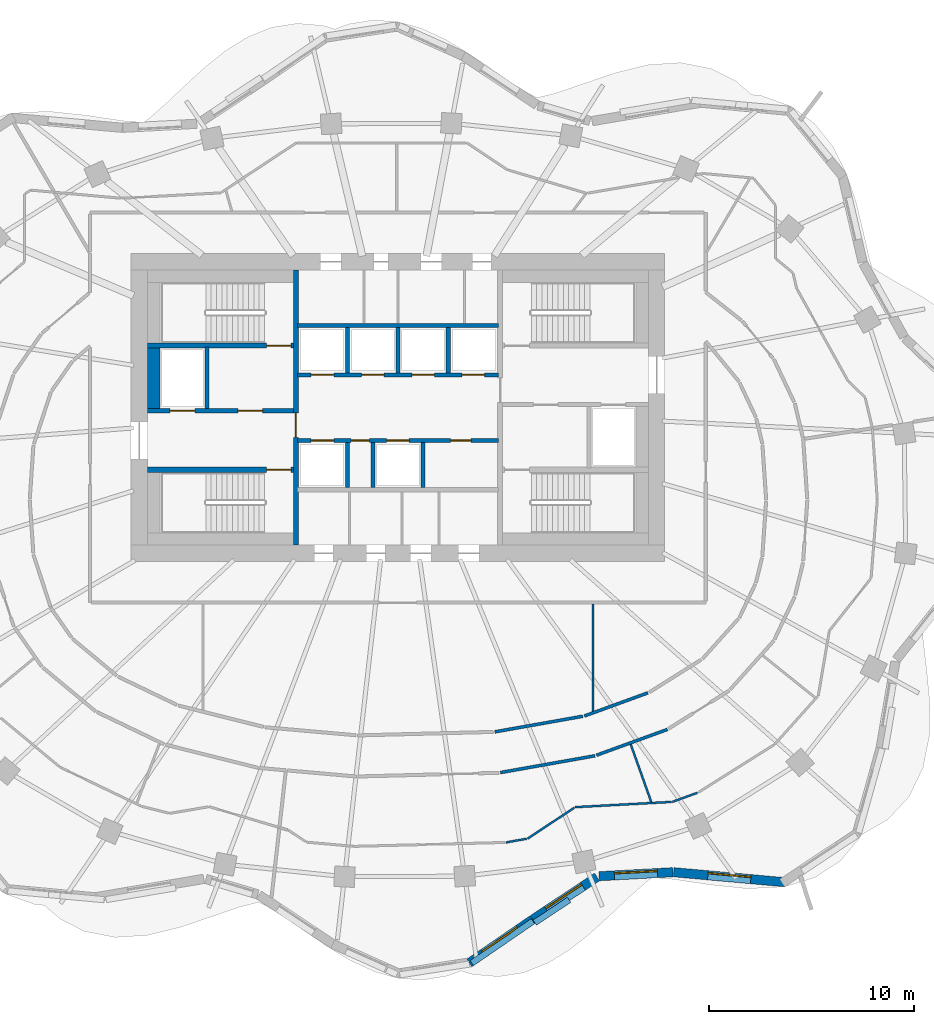
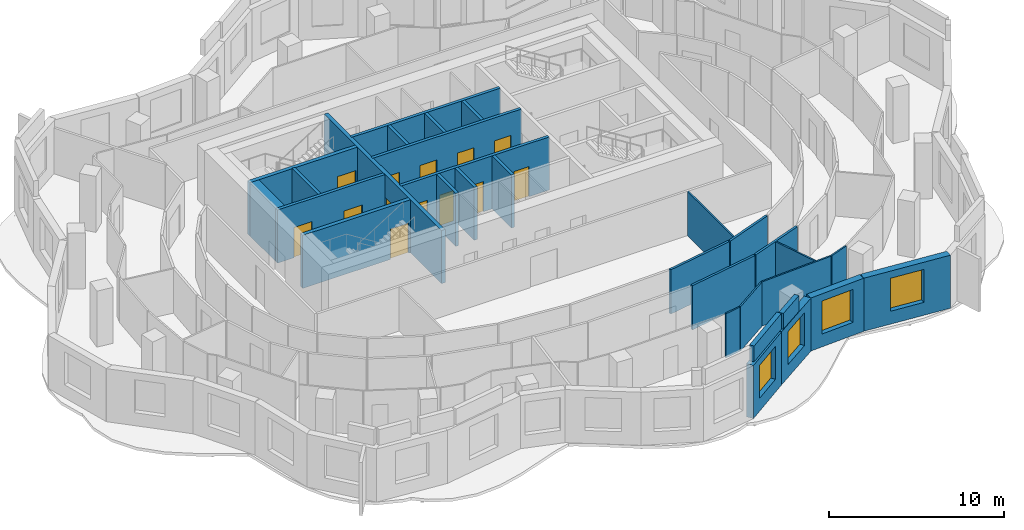
# One storey, part 5 of 10: 31 walls, 13 doors, 4 windows, 17 openings.
"""IFC4 building model written with IfcOpenShell, lengths in metres."""

from ifc_helpers import new_model, si_unit, direction, frame, frame_2d, origin, place, context, subcontext, project, spatial, rectangle, extrude, material, layer, layer_set, type_object, element, fill, save


model = new_model("IFC4")

# Units and contexts
model_context = context("Model", 3, precision=1e-05, world=origin(), true_north=direction((0.0, 1.0)))
body_context = subcontext(model_context, "Body", "Model", "MODEL_VIEW")
ifc_project = project(units=[si_unit("LENGTHUNIT", "METRE"), si_unit("AREAUNIT", "SQUARE_METRE"), si_unit("VOLUMEUNIT", "CUBIC_METRE"), si_unit("PLANEANGLEUNIT", "RADIAN"), si_unit("MASSUNIT", "GRAM", prefix="KILO")], contexts=[model_context])

# Site, building, storey
site_placement = place(None, origin())
site = spatial("IfcSite", under=ifc_project, at=site_placement, CompositionType="ELEMENT")
building_placement = place(site_placement, origin())
building = spatial("IfcBuilding", under=site, at=building_placement, Name="Rubra Terraces Tower", CompositionType="ELEMENT")
storey_placement = place(building_placement, frame((0.0, 0.0, 205.199951171875)))
storey = spatial("IfcBuildingStorey", under=building, at=storey_placement, Name="L50", CompositionType="ELEMENT", Elevation=205.199951171875)

# Wall, opening, window
ifc_material_1 = material(Name="Brick masonry red-brown", Category="masonry")
ifc_layer_1 = layer(ifc_material_1, 0.449951171875)
ifc_layer_set_1 = layer_set([ifc_layer_1], Name="Brick masonry red-brown")
wall_type_1 = type_object("IfcWallType", Name="Brick facade wall 450", PredefinedType="SOLIDWALL", material=ifc_layer_set_1)
wall_1_placement = place(storey_placement, frame((3.478515625, -22.559814453125, 0.0), z_axis=(0.0, 0.0, 1.0), x_axis=(0.824722766417, 0.565537230033, 0.0)))
wall_1 = element("IfcWall", 1, at=wall_1_placement, inside=storey, type_object=wall_type_1, Name="Facade wall L50 bay 32", PredefinedType="SOLIDWALL", context=body_context, shape_type="SweptSolid", body=[
    extrude(rectangle(XDim=3.742431640625, YDim=0.449951171875, at=frame_2d((1.87109375, 0.0))), origin(), (0.0, 0.0, 1.0), 3.699951171875),
])
opening_1_placement = place(wall_1_placement, frame((0.8212890625, 0.0, 0.89990234375)))
opening_1 = element("IfcOpeningElement", 2, at=opening_1_placement, cuts=wall_1, Name="Opening W1B", PredefinedType="OPENING", context=body_context, shape_type="SweptSolid", body=[
    extrude(rectangle(XDim=2.10009765625, YDim=2.300048828125, at=frame_2d((1.050048828125, 1.14990234375))), frame((0.0, 0.23486328125, 0.0), z_axis=(0.0, -1.0, 0.0), x_axis=(1.0, 0.0, 0.0)), (0.0, 0.0, 1.0), 0.469970703125),
])
ifc_material_2 = material(Name="Clear glass in aluminium frame", Category="aluminium")
window_type = type_object("IfcWindowType", Name="Fixed deep-set window tall storey 2100 x 2300", PartitioningType="SINGLE_PANEL", PredefinedType="WINDOW", material=ifc_material_2)
window_1_placement = place(opening_1_placement, origin())
window_1 = element("IfcWindow", 3, at=window_1_placement, inside=storey, type_object=window_type, Name="Window L50 bay 32", OverallHeight=2.300048828125, OverallWidth=2.10009765625, PartitioningType="SINGLE_PANEL", PredefinedType="WINDOW", context=body_context, shape_type="SweptSolid", body=[
    extrude(rectangle(XDim=2.10009765625, YDim=2.300048828125, at=frame_2d((1.050048828125, 1.14990234375))), frame((0.0, 0.135009765625, 0.0), z_axis=(0.0, -1.0, 0.0), x_axis=(1.0, 0.0, 0.0)), (0.0, 0.0, 1.0), 0.06005859375),
])
fill(opening_1, window_1)

wall_2_placement = place(storey_placement, frame((6.568115234375, -20.44140625, 0.0), z_axis=(0.0, 0.0, 1.0), x_axis=(0.834034214531, 0.551712723246, 0.0)))
wall_2 = element("IfcWall", 4, at=wall_2_placement, inside=storey, type_object=wall_type_1, Name="Facade wall L50 bay 33", PredefinedType="SOLIDWALL", context=body_context, shape_type="SweptSolid", body=[
    extrude(rectangle(XDim=3.75732421875, YDim=0.449951171875, at=frame_2d((1.878662109375, 0.0))), origin(), (0.0, 0.0, 1.0), 3.699951171875),
])
opening_2_placement = place(wall_2_placement, frame((0.82861328125, 0.0, 0.89990234375)))
opening_2 = element("IfcOpeningElement", 5, at=opening_2_placement, cuts=wall_2, Name="Opening W1B", PredefinedType="OPENING", context=body_context, shape_type="SweptSolid", body=[
    extrude(rectangle(XDim=2.10009765625, YDim=2.300048828125, at=frame_2d((1.050048828125, 1.14990234375))), frame((0.0, 0.23486328125, 0.0), z_axis=(0.0, -1.0, 0.0), x_axis=(1.0, 0.0, 0.0)), (0.0, 0.0, 1.0), 0.469970703125),
])
window_2_placement = place(opening_2_placement, origin())
window_2 = element("IfcWindow", 6, at=window_2_placement, inside=storey, type_object=window_type, Name="Window L50 bay 33", OverallHeight=2.300048828125, OverallWidth=2.10009765625, PartitioningType="SINGLE_PANEL", PredefinedType="WINDOW", context=body_context, shape_type="SweptSolid", body=[
    extrude(rectangle(XDim=2.10009765625, YDim=2.300048828125, at=frame_2d((1.050048828125, 1.14990234375))), frame((0.0, 0.135009765625, 0.0), z_axis=(0.0, -1.0, 0.0), x_axis=(1.0, 0.0, 0.0)), (0.0, 0.0, 1.0), 0.06005859375),
])
fill(opening_2, window_2)

wall_3_placement = place(storey_placement, frame((9.80322265625, -18.333740234375, 0.0), z_axis=(0.0, 0.0, 1.0), x_axis=(0.998525941495, 0.054276552602, 0.0)))
wall_3 = element("IfcWall", 7, at=wall_3_placement, inside=storey, type_object=wall_type_1, Name="Facade wall L50 bay 34", PredefinedType="SOLIDWALL", context=body_context, shape_type="SweptSolid", body=[
    extrude(rectangle(XDim=3.60302734375, YDim=0.449951171875, at=frame_2d((1.801513671875, 0.0))), origin(), (0.0, 0.0, 1.0), 3.699951171875),
])
opening_3_placement = place(wall_3_placement, frame((0.75146484375, 0.0, 0.89990234375)))
opening_3 = element("IfcOpeningElement", 8, at=opening_3_placement, cuts=wall_3, Name="Opening W1B", PredefinedType="OPENING", context=body_context, shape_type="SweptSolid", body=[
    extrude(rectangle(XDim=2.10009765625, YDim=2.300048828125, at=frame_2d((1.050048828125, 1.14990234375))), frame((0.0, 0.23486328125, 0.0), z_axis=(0.0, -1.0, 0.0), x_axis=(1.0, 0.0, 0.0)), (0.0, 0.0, 1.0), 0.469970703125),
])
window_3_placement = place(opening_3_placement, origin())
window_3 = element("IfcWindow", 9, at=window_3_placement, inside=storey, type_object=window_type, Name="Window L50 bay 34", OverallHeight=2.300048828125, OverallWidth=2.10009765625, PartitioningType="SINGLE_PANEL", PredefinedType="WINDOW", context=body_context, shape_type="SweptSolid", body=[
    extrude(rectangle(XDim=2.10009765625, YDim=2.300048828125, at=frame_2d((1.050048828125, 1.14990234375))), frame((0.0, 0.135009765625, 0.0), z_axis=(0.0, -1.0, 0.0), x_axis=(1.0, 0.0, 0.0)), (0.0, 0.0, 1.0), 0.06005859375),
])
fill(opening_3, window_3)

wall_4_placement = place(storey_placement, frame((13.435791015625, -18.1376953125, 0.0), z_axis=(0.0, 0.0, 1.0), x_axis=(0.99598810213, -0.089485755376, 0.0)))
wall_4 = element("IfcWall", 10, at=wall_4_placement, inside=storey, type_object=wall_type_1, Name="Facade wall L50 bay 35", PredefinedType="SOLIDWALL", context=body_context, shape_type="SweptSolid", body=[
    extrude(rectangle(XDim=5.451171875, YDim=0.449951171875, at=frame_2d((2.7255859375, 0.0))), origin(), (0.0, 0.0, 1.0), 3.699951171875),
])
opening_4_placement = place(wall_4_placement, frame((1.675537109375, 0.0, 0.89990234375)))
opening_4 = element("IfcOpeningElement", 11, at=opening_4_placement, cuts=wall_4, Name="Opening W1B", PredefinedType="OPENING", context=body_context, shape_type="SweptSolid", body=[
    extrude(rectangle(XDim=2.10009765625, YDim=2.300048828125, at=frame_2d((1.050048828125, 1.14990234375))), frame((0.0, 0.23486328125, 0.0), z_axis=(0.0, -1.0, 0.0), x_axis=(1.0, 0.0, 0.0)), (0.0, 0.0, 1.0), 0.469970703125),
])
window_4_placement = place(opening_4_placement, origin())
window_4 = element("IfcWindow", 12, at=window_4_placement, inside=storey, type_object=window_type, Name="Window L50 bay 35", OverallHeight=2.300048828125, OverallWidth=2.10009765625, PartitioningType="SINGLE_PANEL", PredefinedType="WINDOW", context=body_context, shape_type="SweptSolid", body=[
    extrude(rectangle(XDim=2.10009765625, YDim=2.300048828125, at=frame_2d((1.050048828125, 1.14990234375))), frame((0.0, 0.135009765625, 0.0), z_axis=(0.0, -1.0, 0.0), x_axis=(1.0, 0.0, 0.0)), (0.0, 0.0, 1.0), 0.06005859375),
])
fill(opening_4, window_4)

# Walls
ifc_layer_2 = layer(ifc_material_1, 0.300048828125)
ifc_layer_set_2 = layer_set([ifc_layer_2], Name="Brick masonry red-brown")
wall_type_2 = type_object("IfcWallType", Name="Brick parapet 300", PredefinedType="PARAPET", material=ifc_layer_set_2)
wall_5_placement = place(storey_placement, frame((3.59912109375, -22.56787109375, 3.900146484375), z_axis=(0.0, 0.0, 1.0), x_axis=(0.82476034254, 0.565482428881, 0.0)))
element("IfcWall", 13, at=wall_5_placement, inside=storey, type_object=wall_type_2, Name="Parapet L50 bay 32", PredefinedType="PARAPET", context=body_context, shape_type="SweptSolid", body=[
    extrude(rectangle(XDim=3.61572265625, YDim=0.300048828125, at=frame_2d((1.807861328125, 0.0))), origin(), (0.0, 0.0, 1.0), 1.099853515625),
])
wall_6_placement = place(storey_placement, frame((6.665283203125, -20.593017578125, 3.900146484375), z_axis=(0.0, 0.0, 1.0), x_axis=(0.834027642059, 0.551722658843, 0.0)))
element("IfcWall", 14, at=wall_6_placement, inside=storey, type_object=wall_type_2, Name="Parapet L50 bay 33", PredefinedType="PARAPET", context=body_context, shape_type="SweptSolid", body=[
    extrude(rectangle(XDim=2.008056640625, YDim=0.300048828125, at=frame_2d((1.00390625, 0.0))), origin(), (0.0, 0.0, 1.0), 1.099853515625),
])
ifc_material_3 = material(Name="Plasterboard on steel stud, mineral wool infill", Category="steel")
ifc_layer_3 = layer(ifc_material_3, 0.14990234375)
ifc_layer_set_3 = layer_set([ifc_layer_3], Name="Plasterboard on steel stud, mineral wool infill")
wall_type_3 = type_object("IfcWallType", Name="CORRIDOR PARTITION 150", PredefinedType="PARTITIONING", material=ifc_layer_set_3)
wall_7_placement = place(storey_placement, frame((4.994873046875, -13.28125, 0.0), z_axis=(0.0, 0.0, 1.0), x_axis=(0.98463411377, 0.174630071865, 0.0)))
element("IfcWall", 15, at=wall_7_placement, inside=storey, type_object=wall_type_3, Name="PARTITION", PredefinedType="PARTITIONING", context=body_context, shape_type="SweptSolid", body=[
    extrude(rectangle(XDim=4.68212890625, YDim=0.14990234375, at=frame_2d((2.341064453125, 0.0))), origin(), (0.0, 0.0, 1.0), 3.083984375),
])
wall_8_placement = place(storey_placement, frame((9.675537109375, -12.43798828125, 0.0), z_axis=(0.0, 0.0, 1.0), x_axis=(0.939640289748, 0.342163887461, 0.0)))
element("IfcWall", 16, at=wall_8_placement, inside=storey, type_object=wall_type_3, Name="PARTITION", PredefinedType="PARTITIONING", context=body_context, shape_type="SweptSolid", body=[
    extrude(rectangle(XDim=3.6796875, YDim=0.14990234375, at=frame_2d((1.83984375, 0.0))), origin(), (0.0, 0.0, 1.0), 3.083984375),
])
wall_9_placement = place(storey_placement, frame((12.177734375, -9.398193359375, 0.0), z_axis=(0.0, 0.0, 1.0), x_axis=(-0.939609240084, -0.342249143093, 0.0)))
element("IfcWall", 17, at=wall_9_placement, inside=storey, type_object=wall_type_3, Name="PARTITION", PredefinedType="PARTITIONING", context=body_context, shape_type="SweptSolid", body=[
    extrude(rectangle(XDim=3.2919921875, YDim=0.14990234375, at=frame_2d((1.64599609375, 0.0))), origin(), (0.0, 0.0, 1.0), 3.083984375),
])
wall_10_placement = place(storey_placement, frame((9.010498046875, -10.5380859375, 0.0), z_axis=(0.0, 0.0, 1.0), x_axis=(-0.984645638575, -0.174565077936, 0.0)))
element("IfcWall", 18, at=wall_10_placement, inside=storey, type_object=wall_type_3, Name="PARTITION", PredefinedType="PARTITIONING", context=body_context, shape_type="SweptSolid", body=[
    extrude(rectangle(XDim=4.35791015625, YDim=0.14990234375, at=frame_2d((2.178955078125, 0.0))), origin(), (0.0, 0.0, 1.0), 3.083984375),
])
ifc_material_4 = material(Name="Concrete C40", Category="concrete")
ifc_layer_4 = layer(ifc_material_4, 0.60009765625)
ifc_layer_set_4 = layer_set([ifc_layer_4], Name="Concrete C40")
wall_type_4 = type_object("IfcWallType", Name="Core lining wall 600 concrete", PredefinedType="SOLIDWALL", material=ifc_layer_set_4)
wall_11_placement = place(storey_placement, frame((-11.89990234375, 4.449951171875, 0.0), z_axis=(0.0, 0.0, 1.0), x_axis=(0.0, 1.0, 0.0)))
element("IfcWall", 19, at=wall_11_placement, inside=storey, type_object=wall_type_4, Name="CORE LINING WALL L50", PredefinedType="SOLIDWALL", context=body_context, shape_type="SweptSolid", body=[
    extrude(rectangle(XDim=3.0, YDim=0.60009765625, at=frame_2d((1.5, 0.0))), origin(), (0.0, 0.0, 1.0), 3.699951171875),
])

# Wall, openings, doors
ifc_material_5 = material(Name="Concrete C30", Category="concrete")
ifc_layer_5 = layer(ifc_material_5, 0.199951171875)
ifc_layer_set_5 = layer_set([ifc_layer_5], Name="Concrete C30")
wall_type_5 = type_object("IfcWallType", Name="Core wall 200 concrete", PredefinedType="SOLIDWALL", material=ifc_layer_set_5)
wall_12_placement = place(storey_placement, frame((-12.199951171875, 4.35009765625, 0.0), z_axis=(0.0, 0.0, 1.0), x_axis=(1.0, 0.0, 0.0)))
wall_12 = element("IfcWall", 20, at=wall_12_placement, inside=storey, type_object=wall_type_5, Name="STAIR WALL L50", PredefinedType="SOLIDWALL", context=body_context, shape_type="SweptSolid", body=[
    extrude(rectangle(XDim=7.099853515625, YDim=0.199951171875, at=frame_2d((3.5498046875, 0.0))), origin(), (0.0, 0.0, 1.0), 3.699951171875),
])
opening_5_placement = place(wall_12_placement, frame((4.39990234375, 0.0, 0.0)))
opening_5 = element("IfcOpeningElement", 21, at=opening_5_placement, cuts=wall_12, Name="Opening L50.C05", PredefinedType="OPENING", context=body_context, shape_type="SweptSolid", body=[
    extrude(rectangle(XDim=1.199951171875, YDim=2.10009765625, at=frame_2d((0.60009765625, 1.050048828125))), frame((0.0, 0.10986328125, 0.0), z_axis=(0.0, -1.0, 0.0), x_axis=(1.0, 0.0, 0.0)), (0.0, 0.0, 1.0), 0.219970703125),
])
opening_6_placement = place(wall_12_placement, frame((1.10009765625, 0.0, 0.0)))
opening_6 = element("IfcOpeningElement", 22, at=opening_6_placement, cuts=wall_12, Name="Opening L50.C11", PredefinedType="OPENING", context=body_context, shape_type="SweptSolid", body=[
    extrude(rectangle(XDim=1.199951171875, YDim=2.10009765625, at=frame_2d((0.60009765625, 1.050048828125))), frame((0.0, 0.10986328125, 0.0), z_axis=(0.0, -1.0, 0.0), x_axis=(1.0, 0.0, 0.0)), (0.0, 0.0, 1.0), 0.219970703125),
])
ifc_material_6 = material(Name="Painted steel", Category="steel")
door_type_1 = type_object("IfcDoorType", Name="Fire door 1200x2100 single", OperationType="NOTDEFINED", PredefinedType="DOOR", material=ifc_material_6)
door_1_placement = place(opening_5_placement, origin())
door_1 = element("IfcDoor", 23, at=door_1_placement, inside=storey, type_object=door_type_1, Name="Stair vestibule door S2", OperationType="SINGLE_SWING_LEFT", OverallHeight=2.10009765625, OverallWidth=1.199951171875, PredefinedType="DOOR", context=body_context, shape_type="SweptSolid", body=[
    extrude(rectangle(XDim=1.199951171875, YDim=2.10009765625, at=frame_2d((0.60009765625, 1.050048828125))), frame((0.0, 0.02490234375, 0.0), z_axis=(0.0, -1.0, 0.0), x_axis=(1.0, 0.0, 0.0)), (0.0, 0.0, 1.0), 0.050048828125),
])
fill(opening_5, door_1)
ifc_material_7 = material(Name="Stainless steel", Category="steel")
door_type_2 = type_object("IfcDoorType", Name="Lift landing door 1200x2100", OperationType="NOTDEFINED", PredefinedType="DOOR", material=ifc_material_7)
door_2_placement = place(opening_6_placement, origin())
door_2 = element("IfcDoor", 24, at=door_2_placement, inside=storey, type_object=door_type_2, Name="Landing door FF1", OperationType="SLIDING_TO_RIGHT", OverallHeight=2.10009765625, OverallWidth=1.199951171875, PredefinedType="DOOR", context=body_context, shape_type="SweptSolid", body=[
    extrude(rectangle(XDim=1.199951171875, YDim=2.10009765625, at=frame_2d((0.60009765625, 1.050048828125))), frame((0.0, 0.02490234375, 0.0), z_axis=(0.0, -1.0, 0.0), x_axis=(1.0, 0.0, 0.0)), (0.0, 0.0, 1.0), 0.050048828125),
])
fill(opening_6, door_2)

# Wall
wall_13_placement = place(storey_placement, frame((-9.300048828125, 4.449951171875, 0.0), z_axis=(0.0, 0.0, 1.0), x_axis=(0.0, 1.0, 0.0)))
element("IfcWall", 25, at=wall_13_placement, inside=storey, type_object=wall_type_5, Name="STAIR WALL L50", PredefinedType="SOLIDWALL", context=body_context, shape_type="SweptSolid", body=[
    extrude(rectangle(XDim=3.0, YDim=0.199951171875, at=frame_2d((1.5, 0.0))), origin(), (0.0, 0.0, 1.0), 3.699951171875),
])

# Wall, openings, doors
wall_14_placement = place(storey_placement, frame((-4.89990234375, 2.89990234375, 0.0), z_axis=(0.0, 0.0, 1.0), x_axis=(1.0, 0.0, 0.0)))
wall_14 = element("IfcWall", 26, at=wall_14_placement, inside=storey, type_object=wall_type_5, Name="LIFT SHAFT WALL L50", PredefinedType="SOLIDWALL", context=body_context, shape_type="SweptSolid", body=[
    extrude(rectangle(XDim=9.7998046875, YDim=0.199951171875, at=frame_2d((4.89990234375, 0.0))), origin(), (0.0, 0.0, 1.0), 3.699951171875),
])
opening_7_placement = place(wall_14_placement, frame((0.675048828125, 0.0, 0.0)))
opening_7 = element("IfcOpeningElement", 27, at=opening_7_placement, cuts=wall_14, Name="Opening L50.C13", PredefinedType="OPENING", context=body_context, shape_type="SweptSolid", body=[
    extrude(rectangle(XDim=1.10009765625, YDim=2.10009765625, at=frame_2d((0.550048828125, 1.050048828125))), frame((0.0, 0.10986328125, 0.0), z_axis=(0.0, -1.0, 0.0), x_axis=(1.0, 0.0, 0.0)), (0.0, 0.0, 1.0), 0.219970703125),
])
opening_8_placement = place(wall_14_placement, frame((2.613037109375, 0.0, 0.0)))
opening_8 = element("IfcOpeningElement", 28, at=opening_8_placement, cuts=wall_14, Name="Opening L50.C14", PredefinedType="OPENING", context=body_context, shape_type="SweptSolid", body=[
    extrude(rectangle(XDim=0.89990234375, YDim=2.10009765625, at=frame_2d((0.449951171875, 1.050048828125))), frame((0.0, 0.10986328125, 0.0), z_axis=(0.0, -1.0, 0.0), x_axis=(1.0, 0.0, 0.0)), (0.0, 0.0, 1.0), 0.219970703125),
])
opening_9_placement = place(wall_14_placement, frame((4.35009765625, 0.0, 0.0)))
opening_9 = element("IfcOpeningElement", 29, at=opening_9_placement, cuts=wall_14, Name="Opening L50.C15", PredefinedType="OPENING", context=body_context, shape_type="SweptSolid", body=[
    extrude(rectangle(XDim=1.10009765625, YDim=2.10009765625, at=frame_2d((0.550048828125, 1.050048828125))), frame((0.0, 0.10986328125, 0.0), z_axis=(0.0, -1.0, 0.0), x_axis=(1.0, 0.0, 0.0)), (0.0, 0.0, 1.0), 0.219970703125),
])
opening_10_placement = place(wall_14_placement, frame((7.462890625, 0.0, 0.0)))
opening_10 = element("IfcOpeningElement", 30, at=opening_10_placement, cuts=wall_14, Name="Opening L50.C16", PredefinedType="OPENING", context=body_context, shape_type="SweptSolid", body=[
    extrude(rectangle(XDim=1.0, YDim=2.10009765625, at=frame_2d((0.5, 1.050048828125))), frame((0.0, 0.10986328125, 0.0), z_axis=(0.0, -1.0, 0.0), x_axis=(1.0, 0.0, 0.0)), (0.0, 0.0, 1.0), 0.219970703125),
])
door_type_3 = type_object("IfcDoorType", Name="Fire door 1000x2100 single", OperationType="NOTDEFINED", PredefinedType="DOOR", material=ifc_material_6)
door_3_placement = place(opening_10_placement, origin())
door_3 = element("IfcDoor", 31, at=door_3_placement, inside=storey, type_object=door_type_3, Name="Security and building control room door", OperationType="SINGLE_SWING_RIGHT", OverallHeight=2.10009765625, OverallWidth=1.0, PredefinedType="DOOR", context=body_context, shape_type="SweptSolid", body=[
    extrude(rectangle(XDim=1.0, YDim=2.10009765625, at=frame_2d((0.5, 1.050048828125))), frame((0.0, 0.02490234375, 0.0), z_axis=(0.0, -1.0, 0.0), x_axis=(1.0, 0.0, 0.0)), (0.0, 0.0, 1.0), 0.050048828125),
])
fill(opening_10, door_3)
door_type_4 = type_object("IfcDoorType", Name="Fire door 900x2100 single", OperationType="NOTDEFINED", PredefinedType="DOOR", material=ifc_material_6)
door_4_placement = place(opening_8_placement, origin())
door_4 = element("IfcDoor", 32, at=door_4_placement, inside=storey, type_object=door_type_4, Name="Cleaner's store door", OperationType="SINGLE_SWING_RIGHT", OverallHeight=2.10009765625, OverallWidth=0.89990234375, PredefinedType="DOOR", context=body_context, shape_type="SweptSolid", body=[
    extrude(rectangle(XDim=0.89990234375, YDim=2.10009765625, at=frame_2d((0.449951171875, 1.050048828125))), frame((0.0, 0.02490234375, 0.0), z_axis=(0.0, -1.0, 0.0), x_axis=(1.0, 0.0, 0.0)), (0.0, 0.0, 1.0), 0.050048828125),
])
fill(opening_8, door_4)
door_type_5 = type_object("IfcDoorType", Name="Lift landing door 1100x2100", OperationType="NOTDEFINED", PredefinedType="DOOR", material=ifc_material_7)
door_5_placement = place(opening_7_placement, origin())
door_5 = element("IfcDoor", 33, at=door_5_placement, inside=storey, type_object=door_type_5, Name="Landing door HB1", OperationType="SLIDING_TO_RIGHT", OverallHeight=2.10009765625, OverallWidth=1.10009765625, PredefinedType="DOOR", context=body_context, shape_type="SweptSolid", body=[
    extrude(rectangle(XDim=1.10009765625, YDim=2.10009765625, at=frame_2d((0.550048828125, 1.050048828125))), frame((0.0, 0.02490234375, 0.0), z_axis=(0.0, -1.0, 0.0), x_axis=(1.0, 0.0, 0.0)), (0.0, 0.0, 1.0), 0.050048828125),
])
fill(opening_7, door_5)
door_6_placement = place(opening_9_placement, origin())
door_6 = element("IfcDoor", 34, at=door_6_placement, inside=storey, type_object=door_type_5, Name="Landing door HB2", OperationType="SLIDING_TO_LEFT", OverallHeight=2.10009765625, OverallWidth=1.10009765625, PredefinedType="DOOR", context=body_context, shape_type="SweptSolid", body=[
    extrude(rectangle(XDim=1.10009765625, YDim=2.10009765625, at=frame_2d((0.550048828125, 1.050048828125))), frame((0.0, 0.02490234375, 0.0), z_axis=(0.0, -1.0, 0.0), x_axis=(1.0, 0.0, 0.0)), (0.0, 0.0, 1.0), 0.050048828125),
])
fill(opening_9, door_6)

wall_15_placement = place(storey_placement, frame((-4.89990234375, 6.10009765625, 0.0), z_axis=(0.0, 0.0, 1.0), x_axis=(1.0, 0.0, 0.0)))
wall_15 = element("IfcWall", 35, at=wall_15_placement, inside=storey, type_object=wall_type_5, Name="LIFT SHAFT WALL L50", PredefinedType="SOLIDWALL", context=body_context, shape_type="SweptSolid", body=[
    extrude(rectangle(XDim=9.7998046875, YDim=0.199951171875, at=frame_2d((4.89990234375, 0.0))), origin(), (0.0, 0.0, 1.0), 3.699951171875),
])
opening_11_placement = place(wall_15_placement, frame((0.675048828125, 0.0, 0.0)))
opening_11 = element("IfcOpeningElement", 36, at=opening_11_placement, cuts=wall_15, Name="Opening L50.C17", PredefinedType="OPENING", context=body_context, shape_type="SweptSolid", body=[
    extrude(rectangle(XDim=1.10009765625, YDim=2.10009765625, at=frame_2d((0.550048828125, 1.050048828125))), frame((0.0, 0.10986328125, 0.0), z_axis=(0.0, -1.0, 0.0), x_axis=(1.0, 0.0, 0.0)), (0.0, 0.0, 1.0), 0.219970703125),
])
opening_12_placement = place(wall_15_placement, frame((3.125, 0.0, 0.0)))
opening_12 = element("IfcOpeningElement", 37, at=opening_12_placement, cuts=wall_15, Name="Opening L50.C18", PredefinedType="OPENING", context=body_context, shape_type="SweptSolid", body=[
    extrude(rectangle(XDim=1.10009765625, YDim=2.10009765625, at=frame_2d((0.550048828125, 1.050048828125))), frame((0.0, 0.10986328125, 0.0), z_axis=(0.0, -1.0, 0.0), x_axis=(1.0, 0.0, 0.0)), (0.0, 0.0, 1.0), 0.219970703125),
])
opening_13_placement = place(wall_15_placement, frame((5.574951171875, 0.0, 0.0)))
opening_13 = element("IfcOpeningElement", 38, at=opening_13_placement, cuts=wall_15, Name="Opening L50.C19", PredefinedType="OPENING", context=body_context, shape_type="SweptSolid", body=[
    extrude(rectangle(XDim=1.10009765625, YDim=2.10009765625, at=frame_2d((0.550048828125, 1.050048828125))), frame((0.0, 0.10986328125, 0.0), z_axis=(0.0, -1.0, 0.0), x_axis=(1.0, 0.0, 0.0)), (0.0, 0.0, 1.0), 0.219970703125),
])
opening_14_placement = place(wall_15_placement, frame((8.02490234375, 0.0, 0.0)))
opening_14 = element("IfcOpeningElement", 39, at=opening_14_placement, cuts=wall_15, Name="Opening L50.C20", PredefinedType="OPENING", context=body_context, shape_type="SweptSolid", body=[
    extrude(rectangle(XDim=1.10009765625, YDim=2.10009765625, at=frame_2d((0.550048828125, 1.050048828125))), frame((0.0, 0.10986328125, 0.0), z_axis=(0.0, -1.0, 0.0), x_axis=(1.0, 0.0, 0.0)), (0.0, 0.0, 1.0), 0.219970703125),
])
door_7_placement = place(opening_11_placement, origin())
door_7 = element("IfcDoor", 40, at=door_7_placement, inside=storey, type_object=door_type_5, Name="Landing door HB3", OperationType="SLIDING_TO_RIGHT", OverallHeight=2.10009765625, OverallWidth=1.10009765625, PredefinedType="DOOR", context=body_context, shape_type="SweptSolid", body=[
    extrude(rectangle(XDim=1.10009765625, YDim=2.10009765625, at=frame_2d((0.550048828125, 1.050048828125))), frame((0.0, 0.02490234375, 0.0), z_axis=(0.0, -1.0, 0.0), x_axis=(1.0, 0.0, 0.0)), (0.0, 0.0, 1.0), 0.050048828125),
])
fill(opening_11, door_7)
door_8_placement = place(opening_12_placement, origin())
door_8 = element("IfcDoor", 41, at=door_8_placement, inside=storey, type_object=door_type_5, Name="Landing door HB4", OperationType="SLIDING_TO_LEFT", OverallHeight=2.10009765625, OverallWidth=1.10009765625, PredefinedType="DOOR", context=body_context, shape_type="SweptSolid", body=[
    extrude(rectangle(XDim=1.10009765625, YDim=2.10009765625, at=frame_2d((0.550048828125, 1.050048828125))), frame((0.0, 0.02490234375, 0.0), z_axis=(0.0, -1.0, 0.0), x_axis=(1.0, 0.0, 0.0)), (0.0, 0.0, 1.0), 0.050048828125),
])
fill(opening_12, door_8)
door_9_placement = place(opening_13_placement, origin())
door_9 = element("IfcDoor", 42, at=door_9_placement, inside=storey, type_object=door_type_5, Name="Landing door HB5", OperationType="SLIDING_TO_RIGHT", OverallHeight=2.10009765625, OverallWidth=1.10009765625, PredefinedType="DOOR", context=body_context, shape_type="SweptSolid", body=[
    extrude(rectangle(XDim=1.10009765625, YDim=2.10009765625, at=frame_2d((0.550048828125, 1.050048828125))), frame((0.0, 0.02490234375, 0.0), z_axis=(0.0, -1.0, 0.0), x_axis=(1.0, 0.0, 0.0)), (0.0, 0.0, 1.0), 0.050048828125),
])
fill(opening_13, door_9)
door_10_placement = place(opening_14_placement, origin())
door_10 = element("IfcDoor", 43, at=door_10_placement, inside=storey, type_object=door_type_5, Name="Landing door HB6", OperationType="SLIDING_TO_LEFT", OverallHeight=2.10009765625, OverallWidth=1.10009765625, PredefinedType="DOOR", context=body_context, shape_type="SweptSolid", body=[
    extrude(rectangle(XDim=1.10009765625, YDim=2.10009765625, at=frame_2d((0.550048828125, 1.050048828125))), frame((0.0, 0.02490234375, 0.0), z_axis=(0.0, -1.0, 0.0), x_axis=(1.0, 0.0, 0.0)), (0.0, 0.0, 1.0), 0.050048828125),
])
fill(opening_14, door_10)

# Walls
wall_16_placement = place(storey_placement, frame((-4.89990234375, 8.5, 0.0), z_axis=(0.0, 0.0, 1.0), x_axis=(1.0, 0.0, 0.0)))
element("IfcWall", 44, at=wall_16_placement, inside=storey, type_object=wall_type_5, Name="LIFT SHAFT WALL L50", PredefinedType="SOLIDWALL", context=body_context, shape_type="SweptSolid", body=[
    extrude(rectangle(XDim=9.7998046875, YDim=0.199951171875, at=frame_2d((4.89990234375, 0.0))), origin(), (0.0, 0.0, 1.0), 3.699951171875),
])
for number, where, z_axis, x_axis, name in (
    (45, (-2.449951171875, 0.60009765625, 0.0), (0.0, 0.0, 1.0), (0.0, 1.0, 0.0), "LIFT SHAFT WALL L50"),
    (46, (-1.22509765625, 0.60009765625, 0.0), (0.0, 0.0, 1.0), (0.0, 1.0, 0.0), "LIFT SHAFT WALL L50"),
    (47, (1.22509765625, 0.60009765625, 0.0), (0.0, 0.0, 1.0), (0.0, 1.0, 0.0), "LIFT SHAFT WALL L50"),
    (48, (-2.449951171875, 6.199951171875, 0.0), (0.0, 0.0, 1.0), (0.0, 1.0, 0.0), "LIFT SHAFT WALL L50"),
    (49, (0.0, 6.199951171875, 0.0), (0.0, 0.0, 1.0), (0.0, 1.0, 0.0), "LIFT SHAFT WALL L50"),
    (50, (2.449951171875, 6.199951171875, 0.0), (0.0, 0.0, 1.0), (0.0, 1.0, 0.0), "LIFT SHAFT WALL L50"),
):
    element("IfcWall", number, at=place(storey_placement, frame(where, z_axis=z_axis, x_axis=x_axis)), inside=storey, type_object=wall_type_5, Name=name, PredefinedType="SOLIDWALL", context=body_context, shape_type="SweptSolid", body=[
        extrude(rectangle(XDim=2.199951171875, YDim=0.199951171875, at=frame_2d((1.10009765625, 0.0))), origin(), (0.0, 0.0, 1.0), 3.699951171875),
    ])
ifc_material_8 = material(Name="Plasterboard on steel stud", Category="steel")
ifc_layer_6 = layer(ifc_material_8, 0.10009765625)
ifc_layer_set_6 = layer_set([ifc_layer_6], Name="Plasterboard on steel stud")
wall_type_6 = type_object("IfcWallType", Name="ROOM PARTITION 100", PredefinedType="PARTITIONING", material=ifc_layer_set_6)
wall_17_placement = place(storey_placement, frame((14.590087890625, -14.2666015625, 0.0), z_axis=(0.0, 0.0, 1.0), x_axis=(-0.939589516809, -0.342303286433, 0.0)))
element("IfcWall", 51, at=wall_17_placement, inside=storey, type_object=wall_type_6, Name="PARTITION", PredefinedType="PARTITIONING", context=body_context, shape_type="SweptSolid", body=[
    extrude(rectangle(XDim=1.29443359375, YDim=0.10009765625, at=frame_2d((0.647216796875, 0.0))), origin(), (0.0, 0.0, 1.0), 3.083984375),
])
wall_18_placement = place(storey_placement, frame((13.323974609375, -14.71240234375, 0.0), z_axis=(0.0, 0.0, 1.0), x_axis=(-0.998525562832, -0.054283518413, 0.0)))
element("IfcWall", 52, at=wall_18_placement, inside=storey, type_object=wall_type_6, Name="PARTITION", PredefinedType="PARTITIONING", context=body_context, shape_type="SweptSolid", body=[
    extrude(rectangle(XDim=4.6953125, YDim=0.10009765625, at=frame_2d((2.34765625, 0.0))), origin(), (0.0, 0.0, 1.0), 3.083984375),
])
wall_19_placement = place(storey_placement, frame((8.59375, -14.9951171875, 0.0), z_axis=(0.0, 0.0, 1.0), x_axis=(-0.834069742789, -0.55165901077, 0.0)))
element("IfcWall", 53, at=wall_19_placement, inside=storey, type_object=wall_type_6, Name="PARTITION", PredefinedType="PARTITIONING", context=body_context, shape_type="SweptSolid", body=[
    extrude(rectangle(XDim=2.7265625, YDim=0.10009765625, at=frame_2d((1.36328125, 0.0))), origin(), (0.0, 0.0, 1.0), 3.083984375),
])
wall_20_placement = place(storey_placement, frame((6.2705078125, -16.508056640625, 0.0), z_axis=(0.0, 0.0, 1.0), x_axis=(-0.984643798133, -0.174575458752, 0.0)))
element("IfcWall", 54, at=wall_20_placement, inside=storey, type_object=wall_type_6, Name="PARTITION", PredefinedType="PARTITIONING", context=body_context, shape_type="SweptSolid", body=[
    extrude(rectangle(XDim=1.022216796875, YDim=0.10009765625, at=frame_2d((0.51123046875, 0.0))), origin(), (0.0, 0.0, 1.0), 3.083984375),
])
wall_21_placement = place(storey_placement, frame((11.344482421875, -11.91015625, 0.0), z_axis=(0.0, 0.0, 1.0), x_axis=(0.335454055984, -0.942056567476, 0.0)))
element("IfcWall", 55, at=wall_21_placement, inside=storey, type_object=wall_type_6, Name="PARTITION", PredefinedType="PARTITIONING", context=body_context, shape_type="SweptSolid", body=[
    extrude(rectangle(XDim=2.980224609375, YDim=0.10009765625, at=frame_2d((1.490234375, 0.0))), origin(), (0.0, 0.0, 1.0), 3.083984375),
])
wall_22_placement = place(storey_placement, frame((9.5, -10.298583984375, 0.0), z_axis=(0.0, 0.0, 1.0), x_axis=(0.0, 1.0, 0.0)))
element("IfcWall", 56, at=wall_22_placement, inside=storey, type_object=wall_type_6, Name="PARTITION", PredefinedType="PARTITIONING", context=body_context, shape_type="SweptSolid", body=[
    extrude(rectangle(XDim=5.2236328125, YDim=0.10009765625, at=frame_2d((2.61181640625, 0.0))), origin(), (0.0, 0.0, 1.0), 3.083984375),
])

# Wall, opening, door
ifc_layer_7 = layer(ifc_material_4, 0.25)
ifc_layer_set_7 = layer_set([ifc_layer_7], Name="Concrete C40")
wall_type_7 = type_object("IfcWallType", Name="Stair enclosure wall 250 concrete", PredefinedType="SOLIDWALL", material=ifc_layer_set_7)
wall_23_placement = place(storey_placement, frame((-12.199951171875, 1.47509765625, 0.0), z_axis=(0.0, 0.0, 1.0), x_axis=(1.0, 0.0, 0.0)))
wall_23 = element("IfcWall", 57, at=wall_23_placement, inside=storey, type_object=wall_type_7, Name="STAIR WALL L50", PredefinedType="SOLIDWALL", context=body_context, shape_type="SweptSolid", body=[
    extrude(rectangle(XDim=7.099853515625, YDim=0.25, at=frame_2d((3.5498046875, 0.0))), origin(), (0.0, 0.0, 1.0), 3.699951171875),
])
opening_15_placement = place(wall_23_placement, frame((5.800048828125, 0.0, 0.0)))
opening_15 = element("IfcOpeningElement", 58, at=opening_15_placement, cuts=wall_23, Name="Opening L50.C07", PredefinedType="OPENING", context=body_context, shape_type="SweptSolid", body=[
    extrude(rectangle(XDim=1.199951171875, YDim=2.10009765625, at=frame_2d((0.60009765625, 1.050048828125))), frame((0.0, 0.135009765625, 0.0), z_axis=(0.0, -1.0, 0.0), x_axis=(1.0, 0.0, 0.0)), (0.0, 0.0, 1.0), 0.27001953125),
])
door_11_placement = place(opening_15_placement, origin())
door_11 = element("IfcDoor", 59, at=door_11_placement, inside=storey, type_object=door_type_1, Name="Stair door S1", OperationType="SINGLE_SWING_LEFT", OverallHeight=2.10009765625, OverallWidth=1.199951171875, PredefinedType="DOOR", context=body_context, shape_type="SweptSolid", body=[
    extrude(rectangle(XDim=1.199951171875, YDim=2.10009765625, at=frame_2d((0.60009765625, 1.050048828125))), frame((0.0, 0.02490234375, 0.0), z_axis=(0.0, -1.0, 0.0), x_axis=(1.0, 0.0, 0.0)), (0.0, 0.0, 1.0), 0.050048828125),
])
fill(opening_15, door_11)

wall_24_placement = place(storey_placement, frame((-12.199951171875, 7.52490234375, 0.0), z_axis=(0.0, 0.0, 1.0), x_axis=(1.0, 0.0, 0.0)))
wall_24 = element("IfcWall", 60, at=wall_24_placement, inside=storey, type_object=wall_type_7, Name="STAIR WALL L50", PredefinedType="SOLIDWALL", context=body_context, shape_type="SweptSolid", body=[
    extrude(rectangle(XDim=7.099853515625, YDim=0.25, at=frame_2d((3.5498046875, 0.0))), origin(), (0.0, 0.0, 1.0), 3.699951171875),
])
opening_16_placement = place(wall_24_placement, frame((5.800048828125, 0.0, 0.0)))
opening_16 = element("IfcOpeningElement", 61, at=opening_16_placement, cuts=wall_24, Name="Opening L50.C09", PredefinedType="OPENING", context=body_context, shape_type="SweptSolid", body=[
    extrude(rectangle(XDim=1.199951171875, YDim=2.10009765625, at=frame_2d((0.60009765625, 1.050048828125))), frame((0.0, 0.135009765625, 0.0), z_axis=(0.0, -1.0, 0.0), x_axis=(1.0, 0.0, 0.0)), (0.0, 0.0, 1.0), 0.27001953125),
])
door_12_placement = place(opening_16_placement, origin())
door_12 = element("IfcDoor", 62, at=door_12_placement, inside=storey, type_object=door_type_1, Name="Stair door S2", OperationType="SINGLE_SWING_LEFT", OverallHeight=2.10009765625, OverallWidth=1.199951171875, PredefinedType="DOOR", context=body_context, shape_type="SweptSolid", body=[
    extrude(rectangle(XDim=1.199951171875, YDim=2.10009765625, at=frame_2d((0.60009765625, 1.050048828125))), frame((0.0, 0.02490234375, 0.0), z_axis=(0.0, -1.0, 0.0), x_axis=(1.0, 0.0, 0.0)), (0.0, 0.0, 1.0), 0.050048828125),
])
fill(opening_16, door_12)

wall_25_placement = place(storey_placement, frame((-4.97509765625, -2.199951171875, 0.0), z_axis=(0.0, 0.0, 1.0), x_axis=(0.0, 1.0, 0.0)))
wall_25 = element("IfcWall", 63, at=wall_25_placement, inside=storey, type_object=wall_type_7, Name="CORE LOBBY WALL L50", PredefinedType="SOLIDWALL", context=body_context, shape_type="SweptSolid", body=[
    extrude(rectangle(XDim=13.39990234375, YDim=0.25, at=frame_2d((6.699951171875, 0.0))), origin(), (0.0, 0.0, 1.0), 3.699951171875),
])
opening_17_placement = place(wall_25_placement, frame((5.25, 0.0, 0.0)))
opening_17 = element("IfcOpeningElement", 64, at=opening_17_placement, cuts=wall_25, Name="Opening L50.C03", PredefinedType="OPENING", context=body_context, shape_type="SweptSolid", body=[
    extrude(rectangle(XDim=1.199951171875, YDim=2.10009765625, at=frame_2d((0.60009765625, 1.050048828125))), frame((0.0, 0.135009765625, 0.0), z_axis=(0.0, -1.0, 0.0), x_axis=(1.0, 0.0, 0.0)), (0.0, 0.0, 1.0), 0.27001953125),
])
door_13_placement = place(opening_17_placement, origin())
door_13 = element("IfcDoor", 65, at=door_13_placement, inside=storey, type_object=door_type_1, Name="Firefighting lobby door FF1", OperationType="SINGLE_SWING_LEFT", OverallHeight=2.10009765625, OverallWidth=1.199951171875, PredefinedType="DOOR", context=body_context, shape_type="SweptSolid", body=[
    extrude(rectangle(XDim=1.199951171875, YDim=2.10009765625, at=frame_2d((0.60009765625, 1.050048828125))), frame((0.0, 0.02490234375, 0.0), z_axis=(0.0, -1.0, 0.0), x_axis=(1.0, 0.0, 0.0)), (0.0, 0.0, 1.0), 0.050048828125),
])
fill(opening_17, door_13)

save(model, "model.ifc")
